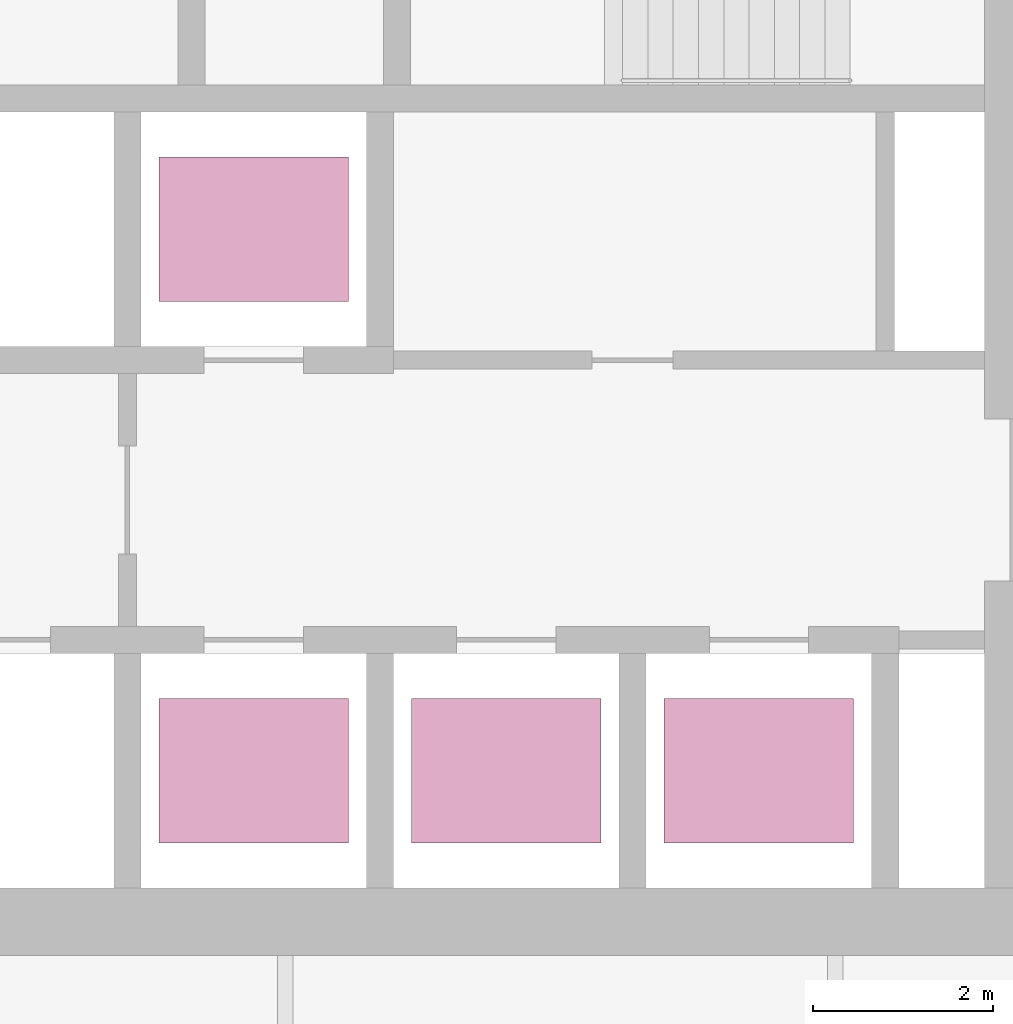
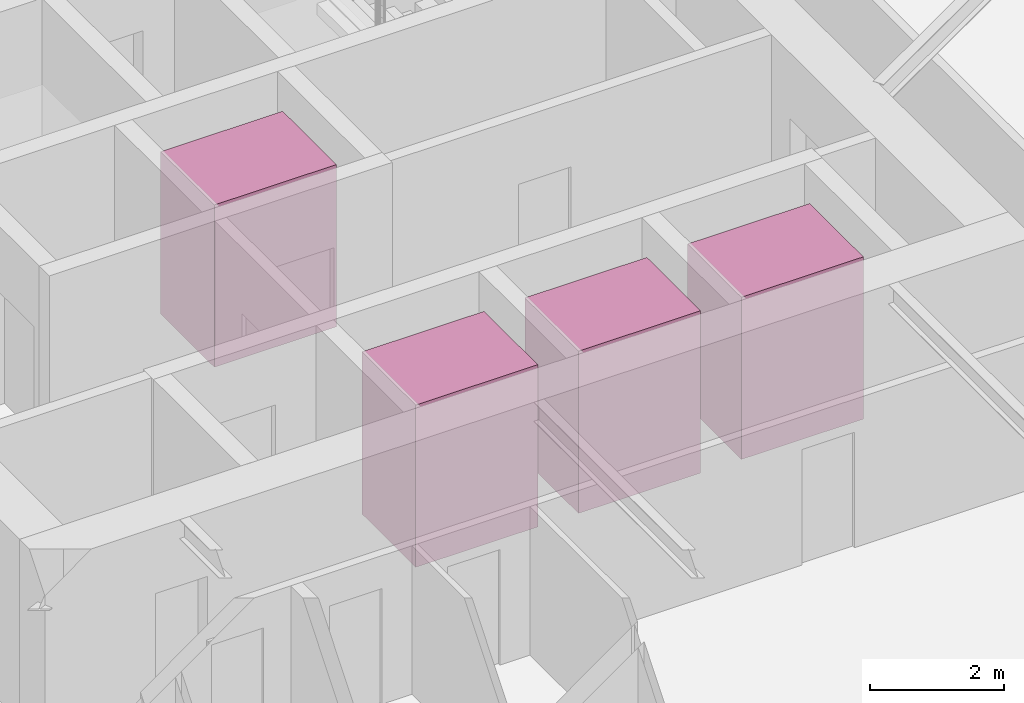
# One storey, part 18 of 18: 4 transport elements.
"""IFC4 building model written with IfcOpenShell, lengths in metres."""

import ifcopenshell
import ifcopenshell.guid

model = None  # the IFC model being written
_history = None  # IfcOwnerHistory: only IFC2X3 demands one
_inside = {}  # id of a spatial element -> (the spatial element, [elements in it])
_under = {}  # id of a project, library or spatial element -> (it, [spatial elements below it])
_declared = {}  # id of a project -> (the project, [libraries it declares])
_typed = {}  # id of a type object -> (the type object, [elements of that type])
_made_of = {}  # id of a material, layer set ... -> (it, [elements and type objects made of it])


def new_model(schema):
    """Start an empty IFC model of exactly this schema.

    Asked for "IFC4X3", IfcOpenShell would pick the latest addendum, in which some entities
    have other attributes; the version numbers below select the first issue.
    IFC2X3 requires an IfcOwnerHistory on every rooted entity: one is made here for all.
    """
    global model, _history
    if schema == "IFC4X3":
        model = ifcopenshell.file(schema_version=(4, 3, 0, 0))
    else:
        model = ifcopenshell.file(schema=schema)
    _inside.clear()
    _under.clear()
    _declared.clear()
    _typed.clear()
    _made_of.clear()
    _history = None
    if model.schema == "IFC2X3":
        org = make("IfcOrganization", Name="unknown")
        user = make(
            "IfcPersonAndOrganization",
            ThePerson=make("IfcPerson", FamilyName="unknown"),
            TheOrganization=org,
        )
        app = make(
            "IfcApplication",
            ApplicationDeveloper=org,
            Version="unknown",
            ApplicationFullName="unknown",
            ApplicationIdentifier="unknown",
        )
        _history = make(
            "IfcOwnerHistory",
            OwningUser=user,
            OwningApplication=app,
            ChangeAction="ADDED",
            CreationDate=0,
        )
    return model


def make(cls, **values):
    """One entity of the class cls with the attributes given. An attribute that is None is left unset."""
    return model.create_entity(
        cls, **{name: value for name, value in values.items() if value is not None}
    )


def rooted(cls, **values):
    """An entity with a GlobalId (a new one), such as an element, a storey or a relation."""
    return make(cls, GlobalId=ifcopenshell.guid.new(), OwnerHistory=_history, **values)


def si_unit(unit_type, name, prefix=None):
    """IfcSIUnit, for example si_unit("LENGTHUNIT", "METRE", prefix="MILLI")."""
    return make("IfcSIUnit", UnitType=unit_type, Prefix=prefix, Name=name)


def assignment(units):
    """IfcUnitAssignment: the units of a project."""
    return None if units is None else make("IfcUnitAssignment", Units=units)


def point(xyz):
    """IfcCartesianPoint."""
    return None if xyz is None else make("IfcCartesianPoint", Coordinates=xyz)


def direction(xyz):
    """IfcDirection."""
    return None if xyz is None else make("IfcDirection", DirectionRatios=xyz)


def frame(location, z_axis=None, x_axis=None):
    """IfcAxis2Placement3D, a coordinate frame: its origin and axes. An axis left out is left unset."""
    return make(
        "IfcAxis2Placement3D",
        Location=point(location),
        Axis=direction(z_axis),
        RefDirection=direction(x_axis),
    )


def frame_2d(location, x_axis=None):
    """IfcAxis2Placement2D, a coordinate frame in the plane: its origin and x axis."""
    return make(
        "IfcAxis2Placement2D", Location=point(location), RefDirection=direction(x_axis)
    )


def origin():
    """The frame at (0, 0, 0) with its axes left unset."""
    return frame((0.0, 0.0, 0.0))


def origin_2d():
    """The frame at (0, 0) in the plane with its x axis left unset."""
    return frame_2d((0.0, 0.0))


def place(relative_to, where):
    """IfcLocalPlacement: puts the frame where relative to a parent placement (None: the world)."""
    return make(
        "IfcLocalPlacement", PlacementRelTo=relative_to, RelativePlacement=where
    )


def context(
    kind, dimensions, precision=None, world=None, true_north=None, identifier=None
):
    """IfcGeometricRepresentationContext, for example the 3D "Model" context."""
    return make(
        "IfcGeometricRepresentationContext",
        ContextIdentifier=identifier,
        ContextType=kind,
        CoordinateSpaceDimension=dimensions,
        Precision=precision,
        WorldCoordinateSystem=world,
        TrueNorth=true_north,
    )


def subcontext(parent, identifier, kind, view, scale=None):
    """IfcGeometricRepresentationSubContext, for example "Body" below "Model"."""
    return make(
        "IfcGeometricRepresentationSubContext",
        ContextIdentifier=identifier,
        ContextType=kind,
        ParentContext=parent,
        TargetScale=scale,
        TargetView=view,
    )


def project(units=None, contexts=None):
    """IfcProject with its units and contexts."""
    return rooted(
        "IfcProject",
        Name="project",
        RepresentationContexts=contexts,
        UnitsInContext=assignment(units),
    )


def spatial(cls, under=None, at=None, **own):
    """A site, building, storey or space (cls), placed at a placement, below another one or the project."""
    s = rooted(cls, ObjectPlacement=at, **own)
    if under is not None:
        _under.setdefault(under.id(), (under, []))[1].append(s)
    return s


def profile(cls, at=None, kind="AREA", **sizes):
    """A parametric profile (cls). Its sizes go by their IFC names, for example OverallWidth=200.0."""
    return make(cls, ProfileType=kind, Position=at, **sizes)


def rectangle(**sizes):
    """IfcRectangleProfileDef."""
    return profile("IfcRectangleProfileDef", **sizes)


def extrude(swept, where, along, depth):
    """IfcExtrudedAreaSolid: the profile swept, set in the frame where, extruded along a direction by depth."""
    return make(
        "IfcExtrudedAreaSolid",
        SweptArea=swept,
        Position=where,
        ExtrudedDirection=direction(along),
        Depth=depth,
    )


def shape(context_of_items, identifier, shape_type, items):
    """IfcShapeRepresentation: the items that make up one representation, for example the "Body"."""
    return make(
        "IfcShapeRepresentation",
        ContextOfItems=context_of_items,
        RepresentationIdentifier=identifier,
        RepresentationType=shape_type,
        Items=items,
    )


def material(Name=None, Category=None):
    """IfcMaterial."""
    return make("IfcMaterial", Name=Name, Category=Category)


def made_of(thing, what):
    """Note that an element or type object is made of a material, layer set ...; save() writes the relation."""
    if what is not None:
        _made_of.setdefault(what.id(), (what, []))[1].append(thing)
    return thing


def type_object(cls, material=None, **own):
    """A type object (cls), such as IfcWallType, which elements share."""
    return made_of(rooted(cls, **own), material)


def element(
    cls,
    number,
    at=None,
    inside=None,
    cuts=None,
    type_object=None,
    material=None,
    context=None,
    identifier="Body",
    shape_type=None,
    held_by="IfcProductDefinitionShape",
    body=None,
    shapes=None,
    **own,
):
    """One element of the class cls, such as IfcWall. Its Tag is "e" and its number.

    at: its placement. inside: the storey or other place that contains it. cuts: it is an
    opening in that element (IfcRelVoidsElement). A single representation is given by context,
    identifier, shape_type and body (its items); several are given by shapes. held_by: the class
    of the entity that holds the representations. save() writes the other relations.
    """
    e = rooted(cls, Tag="e%d" % number, ObjectPlacement=at, **own)
    if body is not None:
        shapes = [shape(context, identifier, shape_type, body)]
    if shapes is not None:
        e.Representation = make(held_by, Representations=shapes)
    if inside is not None:
        _inside.setdefault(inside.id(), (inside, []))[1].append(e)
    if cuts is not None:
        rooted(
            "IfcRelVoidsElement", RelatingBuildingElement=cuts, RelatedOpeningElement=e
        )
    if type_object is not None:
        _typed.setdefault(type_object.id(), (type_object, []))[1].append(e)
    return made_of(e, material)


def aggregate(whole, parts):
    """IfcRelAggregates: a whole, such as a stair, and the parts it consists of."""
    return rooted("IfcRelAggregates", RelatingObject=whole, RelatedObjects=parts)


def save(model, path):
    """Write the relations noted so far, then the file.

    IfcRelAggregates (storeys below a building ...), IfcRelContainedInSpatialStructure (elements
    in a storey), IfcRelDefinesByType, IfcRelAssociatesMaterial and IfcRelDeclares: one each for
    every whole, place, type object, material and project.
    """
    for whole, parts in _under.values():
        aggregate(whole, parts)
    for where, things in _inside.values():
        rooted(
            "IfcRelContainedInSpatialStructure",
            RelatedElements=things,
            RelatingStructure=where,
        )
    for kind, things in _typed.values():
        rooted("IfcRelDefinesByType", RelatedObjects=things, RelatingType=kind)
    for what, things in _made_of.values():
        rooted("IfcRelAssociatesMaterial", RelatedObjects=things, RelatingMaterial=what)
    for by, libraries in _declared.values():
        rooted("IfcRelDeclares", RelatingContext=by, RelatedDefinitions=libraries)
    model.write(path)


model = new_model("IFC4")

# Units and contexts
model_context = context("Model", 3, precision=1e-05, world=origin(), true_north=direction((0.0, 1.0)))
body_context = subcontext(model_context, "Body", "Model", "MODEL_VIEW")
ifc_project = project(units=[si_unit("LENGTHUNIT", "METRE"), si_unit("AREAUNIT", "SQUARE_METRE"), si_unit("VOLUMEUNIT", "CUBIC_METRE"), si_unit("PLANEANGLEUNIT", "RADIAN"), si_unit("MASSUNIT", "GRAM", prefix="KILO")], contexts=[model_context])

# Site, building, storey
site_placement = place(None, origin())
site = spatial("IfcSite", under=ifc_project, at=site_placement, CompositionType="ELEMENT")
building_placement = place(site_placement, origin())
building = spatial("IfcBuilding", under=site, at=building_placement, Name="Firuza Gate Tower and Library", CompositionType="ELEMENT")
storey_placement = place(building_placement, frame((0.0, 0.0, 298.60009765625)))
storey = spatial("IfcBuildingStorey", under=building, at=storey_placement, Name="L72", CompositionType="ELEMENT", Elevation=298.60009765625)

# Transport elements
ifc_material = material(Name="Stainless steel and glass", Category="steel")
transport_element_type = type_object("IfcTransportElementType", Name="High-rise lift car 2100x1600", PredefinedType="ELEVATOR", material=ifc_material)
for number, where, z_axis, x_axis, name in (
    (1, (74.64990234375, 70.300048828125, 0.0), (0.0, 0.0, 1.0), (1.0, 0.0, 0.0), "High-rise lift HR1"),
    (2, (77.449951171875, 70.300048828125, 0.0), (0.0, 0.0, 1.0), (1.0, 0.0, 0.0), "High-rise lift HR2"),
    (3, (80.25, 70.300048828125, 0.0), (0.0, 0.0, 1.0), (1.0, 0.0, 0.0), "High-rise lift HR3"),
    (4, (74.64990234375, 76.300048828125, 0.0), (0.0, 0.0, 1.0), (1.0, 0.0, 0.0), "High-rise lift HR4"),
):
    element("IfcTransportElement", number, at=place(storey_placement, frame(where, z_axis=z_axis, x_axis=x_axis)), inside=storey, type_object=transport_element_type, Name=name, PredefinedType="ELEVATOR", context=body_context, shape_type="SweptSolid", body=[
        extrude(rectangle(XDim=2.10009765625, YDim=1.60009765625, at=origin_2d()), origin(), (0.0, 0.0, 1.0), 2.949951171875),
    ])

save(model, "model.ifc")
